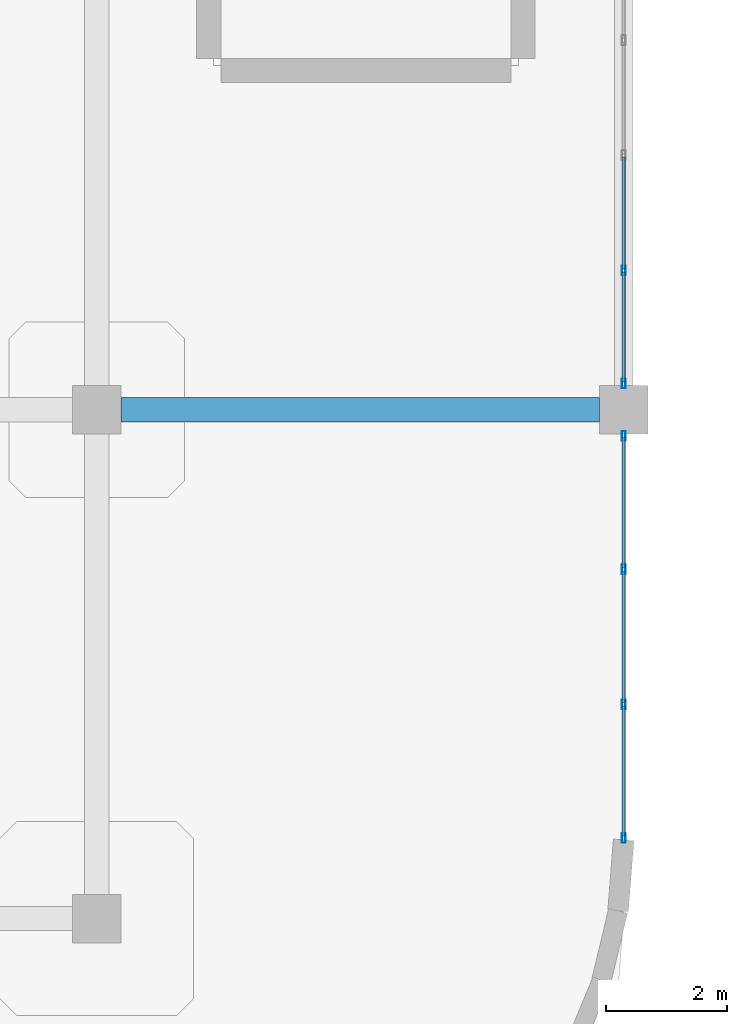
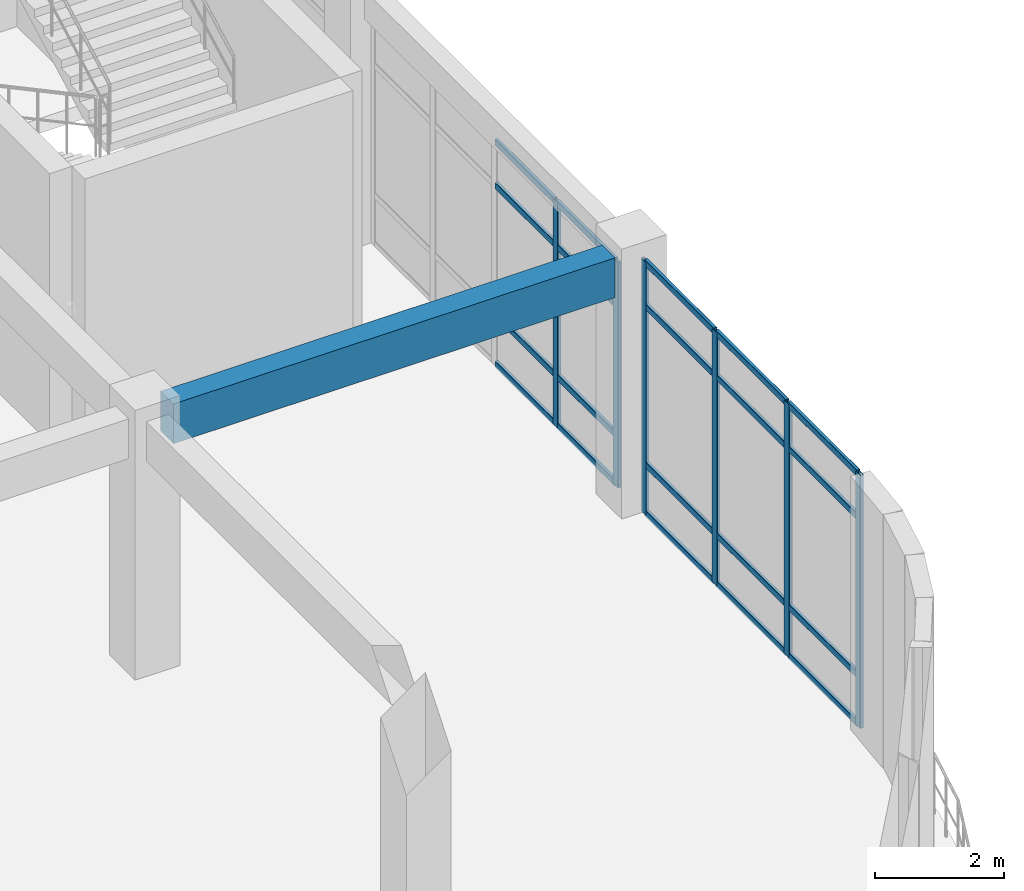
# One storey, part 29 of 124: 26 members, 1 beam, 2 elements without a shape of their own.
"""IFC4 building model written with IfcOpenShell, lengths in metres."""

from ifc_helpers import new_model, si_unit, derived_unit, direction, frame, origin, origin_2d, place, context, subcontext, project, spatial, rectangle, hollow_rectangle, extrude, material, layer, layer_set, material_profile, profile_set, type_object, element, aggregate, save


model = new_model("IFC4")

# Units and contexts
model_context = context("Model", 3, precision=1e-05, world=origin(), true_north=direction((0.0, 1.0)))
body_context = subcontext(model_context, "Body", "Model", "MODEL_VIEW")
ifc_project = project(units=[si_unit("LENGTHUNIT", "METRE"), si_unit("AREAUNIT", "SQUARE_METRE"), si_unit("VOLUMEUNIT", "CUBIC_METRE"), si_unit("PLANEANGLEUNIT", "RADIAN"), si_unit("MASSUNIT", "GRAM", prefix="KILO"), derived_unit("THERMALTRANSMITTANCEUNIT", [(si_unit("MASSUNIT", "GRAM", prefix="KILO"), 1), (si_unit("TIMEUNIT", "SECOND"), -3), (si_unit("THERMODYNAMICTEMPERATUREUNIT", "KELVIN"), -1)])], contexts=[model_context])

# Site, building, storey
site_placement = place(None, origin())
site = spatial("IfcSite", under=ifc_project, at=site_placement, CompositionType="ELEMENT")
building_placement = place(site_placement, origin())
building = spatial("IfcBuilding", under=site, at=building_placement, Name="Qinzheling Arcade Emporium", CompositionType="ELEMENT")
storey_placement = place(building_placement, frame((0.0, 0.0, 16.5)))
storey = spatial("IfcBuildingStorey", under=building, at=storey_placement, Name="L04", CompositionType="ELEMENT", Elevation=16.5)

# Curtain wall, members
ifc_material_1 = material(Name="Anodised aluminium and solar-control double glazing", Category="aluminium")
ifc_layer = layer(ifc_material_1, 0.159912109375, Name="Anodised aluminium and solar-control double glazing", Category="aluminium")
ifc_layer_set = layer_set([ifc_layer], Name="Anodised aluminium and solar-control double glazing")
curtain_wall_type = type_object("IfcCurtainWallType", Name="Arcade Portal Glazed Curtain Wall", PredefinedType="NOTDEFINED", material=ifc_layer_set)
curtain_wall_1_placement = place(storey_placement, origin())
curtain_wall_1 = element("IfcCurtainWall", 1, at=curtain_wall_1_placement, inside=storey, type_object=curtain_wall_type, Name="Curtain Wall CW-L04-258", PredefinedType="NOTDEFINED")
ifc_material_2 = material(Name="Anodised aluminium 6063-T6", Category="aluminium")
ifc_material_profile_1 = material_profile(ifc_material_2, hollow_rectangle(XDim=0.06005859375, YDim=0.159912109375, WallThickness=0.00390625, InnerFilletRadius=0.00390625, OuterFilletRadius=0.008056640625, at=origin_2d()), Name="RHS 160x60x4", Category="aluminium")
ifc_profile_set_1 = profile_set([ifc_material_profile_1], Name="Anodised aluminium 6063-T6")
member_type_1 = type_object("IfcMemberType", Name="Curtain Wall Mullion RHS160x60", PredefinedType="MULLION", material=ifc_profile_set_1)
member_1_placement = place(storey_placement, frame((69.60009765625, 19.10107421875, 0.0), z_axis=(0.0, 0.0, 1.0), x_axis=(1.0, 0.0, 0.0)))
member_1 = element("IfcMember", 2, at=member_1_placement, type_object=member_type_1, Name="CW05 mullion 4", PredefinedType="MULLION", context=body_context, shape_type="SweptSolid", body=[
    extrude(hollow_rectangle(XDim=0.06005859375, YDim=0.159912109375, WallThickness=0.00390625, InnerFilletRadius=0.00390625, OuterFilletRadius=0.008056640625, at=origin_2d()), origin(), (0.0, 0.0, 1.0), 4.2548828125),
])
member_2_placement = place(storey_placement, frame((69.60009765625, 17.23193359375, 0.0), z_axis=(0.0, 0.0, 1.0), x_axis=(1.0, 0.0, 0.0)))
member_2 = element("IfcMember", 3, at=member_2_placement, type_object=member_type_1, Name="CW05 mullion 5", PredefinedType="MULLION", context=body_context, shape_type="SweptSolid", body=[
    extrude(hollow_rectangle(XDim=0.06005859375, YDim=0.159912109375, WallThickness=0.00390625, InnerFilletRadius=0.00390625, OuterFilletRadius=0.008056640625, at=origin_2d()), origin(), (0.0, 0.0, 1.0), 4.2548828125),
])

curtain_wall_2_placement = place(storey_placement, origin())
curtain_wall_2 = element("IfcCurtainWall", 4, at=curtain_wall_2_placement, inside=storey, type_object=curtain_wall_type, Name="Curtain Wall CW-L04-259", PredefinedType="NOTDEFINED")
member_3_placement = place(storey_placement, frame((69.60009765625, 16.367919921875, 0.0), z_axis=(0.0, 0.0, 1.0), x_axis=(1.0, 0.0, 0.0)))
member_3 = element("IfcMember", 5, at=member_3_placement, type_object=member_type_1, Name="CW05 mullion 1", PredefinedType="MULLION", context=body_context, shape_type="SweptSolid", body=[
    extrude(hollow_rectangle(XDim=0.06005859375, YDim=0.159912109375, WallThickness=0.00390625, InnerFilletRadius=0.00390625, OuterFilletRadius=0.008056640625, at=origin_2d()), origin(), (0.0, 0.0, 1.0), 4.7900390625),
])
member_4_placement = place(storey_placement, frame((69.60009765625, 14.165283203125, 0.0), z_axis=(0.0, 0.0, 1.0), x_axis=(1.0, 0.0, 0.0)))
member_4 = element("IfcMember", 6, at=member_4_placement, type_object=member_type_1, Name="CW05 mullion 2", PredefinedType="MULLION", context=body_context, shape_type="SweptSolid", body=[
    extrude(hollow_rectangle(XDim=0.06005859375, YDim=0.159912109375, WallThickness=0.00390625, InnerFilletRadius=0.00390625, OuterFilletRadius=0.008056640625, at=origin_2d()), origin(), (0.0, 0.0, 1.0), 4.7900390625),
])
member_5_placement = place(storey_placement, frame((69.60009765625, 11.9326171875, 0.0), z_axis=(0.0, 0.0, 1.0), x_axis=(1.0, 0.0, 0.0)))
member_5 = element("IfcMember", 7, at=member_5_placement, type_object=member_type_1, Name="CW05 mullion 3", PredefinedType="MULLION", context=body_context, shape_type="SweptSolid", body=[
    extrude(hollow_rectangle(XDim=0.06005859375, YDim=0.159912109375, WallThickness=0.00390625, InnerFilletRadius=0.00390625, OuterFilletRadius=0.008056640625, at=origin_2d()), origin(), (0.0, 0.0, 1.0), 4.7900390625),
])
member_6_placement = place(storey_placement, frame((69.60009765625, 9.72998046875, 0.0), z_axis=(0.0, 0.0, 1.0), x_axis=(1.0, 0.0, 0.0)))
member_6 = element("IfcMember", 8, at=member_6_placement, type_object=member_type_1, Name="CW05 mullion 4", PredefinedType="MULLION", context=body_context, shape_type="SweptSolid", body=[
    extrude(hollow_rectangle(XDim=0.06005859375, YDim=0.159912109375, WallThickness=0.00390625, InnerFilletRadius=0.00390625, OuterFilletRadius=0.008056640625, at=origin_2d()), origin(), (0.0, 0.0, 1.0), 4.7900390625),
])

# Member
ifc_material_profile_2 = material_profile(ifc_material_2, hollow_rectangle(XDim=0.06005859375, YDim=0.1201171875, WallThickness=0.00390625, InnerFilletRadius=0.00390625, OuterFilletRadius=0.008056640625, at=origin_2d()), Name="RHS 120x60x4", Category="aluminium")
ifc_profile_set_2 = profile_set([ifc_material_profile_2], Name="Anodised aluminium 6063-T6")
member_type_2 = type_object("IfcMemberType", Name="Curtain Wall Transom RHS120x60", PredefinedType="USERDEFINED", material=ifc_profile_set_2)
member_7_placement = place(storey_placement, frame((69.60009765625, 20.969970703125, 0.030029296875), z_axis=(0.0, -1.0, 0.0), x_axis=(1.0, 0.0, 0.0)))
member_7 = element("IfcMember", 9, at=member_7_placement, type_object=member_type_2, Name="CW05 transom 3.1", ObjectType="TRANSOM", PredefinedType="USERDEFINED", context=body_context, shape_type="SweptSolid", body=[
    extrude(hollow_rectangle(XDim=0.06005859375, YDim=0.1201171875, WallThickness=0.00390625, InnerFilletRadius=0.00390625, OuterFilletRadius=0.008056640625, at=origin_2d()), origin(), (0.0, 0.0, 1.0), 1.8388671875),
])

member_8_placement = place(storey_placement, frame((69.60009765625, 20.969970703125, 0.949951171875), z_axis=(0.0, -1.0, 0.0), x_axis=(1.0, 0.0, 0.0)))
member_8 = element("IfcMember", 10, at=member_8_placement, type_object=member_type_2, Name="CW05 transom 3.2", ObjectType="TRANSOM", PredefinedType="USERDEFINED", context=body_context, shape_type="SweptSolid", body=[
    extrude(hollow_rectangle(XDim=0.06005859375, YDim=0.1201171875, WallThickness=0.00390625, InnerFilletRadius=0.00390625, OuterFilletRadius=0.008056640625, at=origin_2d()), origin(), (0.0, 0.0, 1.0), 1.8388671875),
])

member_9_placement = place(storey_placement, frame((69.60009765625, 20.969970703125, 3.405029296875), z_axis=(0.0, -1.0, 0.0), x_axis=(1.0, 0.0, 0.0)))
member_9 = element("IfcMember", 11, at=member_9_placement, type_object=member_type_2, Name="CW05 transom 3.3", ObjectType="TRANSOM", PredefinedType="USERDEFINED", context=body_context, shape_type="SweptSolid", body=[
    extrude(hollow_rectangle(XDim=0.06005859375, YDim=0.1201171875, WallThickness=0.00390625, InnerFilletRadius=0.00390625, OuterFilletRadius=0.008056640625, at=origin_2d()), origin(), (0.0, 0.0, 1.0), 1.8388671875),
])

member_10_placement = place(storey_placement, frame((69.60009765625, 20.969970703125, 4.22509765625), z_axis=(0.0, -1.0, 0.0), x_axis=(1.0, 0.0, 0.0)))
member_10 = element("IfcMember", 12, at=member_10_placement, type_object=member_type_2, Name="CW05 transom 3.4", ObjectType="TRANSOM", PredefinedType="USERDEFINED", context=body_context, shape_type="SweptSolid", body=[
    extrude(hollow_rectangle(XDim=0.06005859375, YDim=0.1201171875, WallThickness=0.00390625, InnerFilletRadius=0.00390625, OuterFilletRadius=0.008056640625, at=origin_2d()), origin(), (0.0, 0.0, 1.0), 1.8388671875),
])

member_11_placement = place(storey_placement, frame((69.60009765625, 19.071044921875, 0.030029296875), z_axis=(0.0, -1.0, 0.0), x_axis=(1.0, 0.0, 0.0)))
member_11 = element("IfcMember", 13, at=member_11_placement, type_object=member_type_2, Name="CW05 transom 4.1", ObjectType="TRANSOM", PredefinedType="USERDEFINED", context=body_context, shape_type="SweptSolid", body=[
    extrude(hollow_rectangle(XDim=0.06005859375, YDim=0.1201171875, WallThickness=0.00390625, InnerFilletRadius=0.00390625, OuterFilletRadius=0.008056640625, at=origin_2d()), origin(), (0.0, 0.0, 1.0), 1.80908203125),
])

member_12_placement = place(storey_placement, frame((69.60009765625, 19.071044921875, 0.949951171875), z_axis=(0.0, -1.0, 0.0), x_axis=(1.0, 0.0, 0.0)))
member_12 = element("IfcMember", 14, at=member_12_placement, type_object=member_type_2, Name="CW05 transom 4.2", ObjectType="TRANSOM", PredefinedType="USERDEFINED", context=body_context, shape_type="SweptSolid", body=[
    extrude(hollow_rectangle(XDim=0.06005859375, YDim=0.1201171875, WallThickness=0.00390625, InnerFilletRadius=0.00390625, OuterFilletRadius=0.008056640625, at=origin_2d()), origin(), (0.0, 0.0, 1.0), 1.80908203125),
])

member_13_placement = place(storey_placement, frame((69.60009765625, 19.071044921875, 3.405029296875), z_axis=(0.0, -1.0, 0.0), x_axis=(1.0, 0.0, 0.0)))
member_13 = element("IfcMember", 15, at=member_13_placement, type_object=member_type_2, Name="CW05 transom 4.3", ObjectType="TRANSOM", PredefinedType="USERDEFINED", context=body_context, shape_type="SweptSolid", body=[
    extrude(hollow_rectangle(XDim=0.06005859375, YDim=0.1201171875, WallThickness=0.00390625, InnerFilletRadius=0.00390625, OuterFilletRadius=0.008056640625, at=origin_2d()), origin(), (0.0, 0.0, 1.0), 1.80908203125),
])

member_14_placement = place(storey_placement, frame((69.60009765625, 19.071044921875, 4.22509765625), z_axis=(0.0, -1.0, 0.0), x_axis=(1.0, 0.0, 0.0)))
member_14 = element("IfcMember", 16, at=member_14_placement, type_object=member_type_2, Name="CW05 transom 4.4", ObjectType="TRANSOM", PredefinedType="USERDEFINED", context=body_context, shape_type="SweptSolid", body=[
    extrude(hollow_rectangle(XDim=0.06005859375, YDim=0.1201171875, WallThickness=0.00390625, InnerFilletRadius=0.00390625, OuterFilletRadius=0.008056640625, at=origin_2d()), origin(), (0.0, 0.0, 1.0), 1.80908203125),
])

aggregate(curtain_wall_1, [member_1, member_2, member_7, member_8, member_9, member_10, member_11, member_12, member_13, member_14])

member_15_placement = place(storey_placement, frame((69.60009765625, 16.337890625, 0.030029296875), z_axis=(0.0, -1.0, 0.0), x_axis=(1.0, 0.0, 0.0)))
member_15 = element("IfcMember", 17, at=member_15_placement, type_object=member_type_2, Name="CW05 transom 1.1", ObjectType="TRANSOM", PredefinedType="USERDEFINED", context=body_context, shape_type="SweptSolid", body=[
    extrude(hollow_rectangle(XDim=0.06005859375, YDim=0.1201171875, WallThickness=0.00390625, InnerFilletRadius=0.00390625, OuterFilletRadius=0.008056640625, at=origin_2d()), origin(), (0.0, 0.0, 1.0), 2.142578125),
])

member_16_placement = place(storey_placement, frame((69.60009765625, 16.337890625, 0.949951171875), z_axis=(0.0, -1.0, 0.0), x_axis=(1.0, 0.0, 0.0)))
member_16 = element("IfcMember", 18, at=member_16_placement, type_object=member_type_2, Name="CW05 transom 1.2", ObjectType="TRANSOM", PredefinedType="USERDEFINED", context=body_context, shape_type="SweptSolid", body=[
    extrude(hollow_rectangle(XDim=0.06005859375, YDim=0.1201171875, WallThickness=0.00390625, InnerFilletRadius=0.00390625, OuterFilletRadius=0.008056640625, at=origin_2d()), origin(), (0.0, 0.0, 1.0), 2.142578125),
])

member_17_placement = place(storey_placement, frame((69.60009765625, 16.337890625, 3.93994140625), z_axis=(0.0, -1.0, 0.0), x_axis=(1.0, 0.0, 0.0)))
member_17 = element("IfcMember", 19, at=member_17_placement, type_object=member_type_2, Name="CW05 transom 1.3", ObjectType="TRANSOM", PredefinedType="USERDEFINED", context=body_context, shape_type="SweptSolid", body=[
    extrude(hollow_rectangle(XDim=0.06005859375, YDim=0.1201171875, WallThickness=0.00390625, InnerFilletRadius=0.00390625, OuterFilletRadius=0.008056640625, at=origin_2d()), origin(), (0.0, 0.0, 1.0), 2.142578125),
])

member_18_placement = place(storey_placement, frame((69.60009765625, 16.337890625, 4.760009765625), z_axis=(0.0, -1.0, 0.0), x_axis=(1.0, 0.0, 0.0)))
member_18 = element("IfcMember", 20, at=member_18_placement, type_object=member_type_2, Name="CW05 transom 1.4", ObjectType="TRANSOM", PredefinedType="USERDEFINED", context=body_context, shape_type="SweptSolid", body=[
    extrude(hollow_rectangle(XDim=0.06005859375, YDim=0.1201171875, WallThickness=0.00390625, InnerFilletRadius=0.00390625, OuterFilletRadius=0.008056640625, at=origin_2d()), origin(), (0.0, 0.0, 1.0), 2.142578125),
])

member_19_placement = place(storey_placement, frame((69.60009765625, 14.13525390625, 0.030029296875), z_axis=(0.0, -1.0, 0.0), x_axis=(1.0, 0.0, 0.0)))
member_19 = element("IfcMember", 21, at=member_19_placement, type_object=member_type_2, Name="CW05 transom 2.1", ObjectType="TRANSOM", PredefinedType="USERDEFINED", context=body_context, shape_type="SweptSolid", body=[
    extrude(hollow_rectangle(XDim=0.06005859375, YDim=0.1201171875, WallThickness=0.00390625, InnerFilletRadius=0.00390625, OuterFilletRadius=0.008056640625, at=origin_2d()), origin(), (0.0, 0.0, 1.0), 2.172607421875),
])

member_20_placement = place(storey_placement, frame((69.60009765625, 14.13525390625, 0.949951171875), z_axis=(0.0, -1.0, 0.0), x_axis=(1.0, 0.0, 0.0)))
member_20 = element("IfcMember", 22, at=member_20_placement, type_object=member_type_2, Name="CW05 transom 2.2", ObjectType="TRANSOM", PredefinedType="USERDEFINED", context=body_context, shape_type="SweptSolid", body=[
    extrude(hollow_rectangle(XDim=0.06005859375, YDim=0.1201171875, WallThickness=0.00390625, InnerFilletRadius=0.00390625, OuterFilletRadius=0.008056640625, at=origin_2d()), origin(), (0.0, 0.0, 1.0), 2.172607421875),
])

member_21_placement = place(storey_placement, frame((69.60009765625, 14.13525390625, 3.93994140625), z_axis=(0.0, -1.0, 0.0), x_axis=(1.0, 0.0, 0.0)))
member_21 = element("IfcMember", 23, at=member_21_placement, type_object=member_type_2, Name="CW05 transom 2.3", ObjectType="TRANSOM", PredefinedType="USERDEFINED", context=body_context, shape_type="SweptSolid", body=[
    extrude(hollow_rectangle(XDim=0.06005859375, YDim=0.1201171875, WallThickness=0.00390625, InnerFilletRadius=0.00390625, OuterFilletRadius=0.008056640625, at=origin_2d()), origin(), (0.0, 0.0, 1.0), 2.172607421875),
])

member_22_placement = place(storey_placement, frame((69.60009765625, 14.13525390625, 4.760009765625), z_axis=(0.0, -1.0, 0.0), x_axis=(1.0, 0.0, 0.0)))
member_22 = element("IfcMember", 24, at=member_22_placement, type_object=member_type_2, Name="CW05 transom 2.4", ObjectType="TRANSOM", PredefinedType="USERDEFINED", context=body_context, shape_type="SweptSolid", body=[
    extrude(hollow_rectangle(XDim=0.06005859375, YDim=0.1201171875, WallThickness=0.00390625, InnerFilletRadius=0.00390625, OuterFilletRadius=0.008056640625, at=origin_2d()), origin(), (0.0, 0.0, 1.0), 2.172607421875),
])

member_23_placement = place(storey_placement, frame((69.60009765625, 11.902587890625, 0.030029296875), z_axis=(0.0, -1.0, 0.0), x_axis=(1.0, 0.0, 0.0)))
member_23 = element("IfcMember", 25, at=member_23_placement, type_object=member_type_2, Name="CW05 transom 3.1", ObjectType="TRANSOM", PredefinedType="USERDEFINED", context=body_context, shape_type="SweptSolid", body=[
    extrude(hollow_rectangle(XDim=0.06005859375, YDim=0.1201171875, WallThickness=0.00390625, InnerFilletRadius=0.00390625, OuterFilletRadius=0.008056640625, at=origin_2d()), origin(), (0.0, 0.0, 1.0), 2.142578125),
])

member_24_placement = place(storey_placement, frame((69.60009765625, 11.902587890625, 0.949951171875), z_axis=(0.0, -1.0, 0.0), x_axis=(1.0, 0.0, 0.0)))
member_24 = element("IfcMember", 26, at=member_24_placement, type_object=member_type_2, Name="CW05 transom 3.2", ObjectType="TRANSOM", PredefinedType="USERDEFINED", context=body_context, shape_type="SweptSolid", body=[
    extrude(hollow_rectangle(XDim=0.06005859375, YDim=0.1201171875, WallThickness=0.00390625, InnerFilletRadius=0.00390625, OuterFilletRadius=0.008056640625, at=origin_2d()), origin(), (0.0, 0.0, 1.0), 2.142578125),
])

member_25_placement = place(storey_placement, frame((69.60009765625, 11.902587890625, 3.93994140625), z_axis=(0.0, -1.0, 0.0), x_axis=(1.0, 0.0, 0.0)))
member_25 = element("IfcMember", 27, at=member_25_placement, type_object=member_type_2, Name="CW05 transom 3.3", ObjectType="TRANSOM", PredefinedType="USERDEFINED", context=body_context, shape_type="SweptSolid", body=[
    extrude(hollow_rectangle(XDim=0.06005859375, YDim=0.1201171875, WallThickness=0.00390625, InnerFilletRadius=0.00390625, OuterFilletRadius=0.008056640625, at=origin_2d()), origin(), (0.0, 0.0, 1.0), 2.142578125),
])

member_26_placement = place(storey_placement, frame((69.60009765625, 11.902587890625, 4.760009765625), z_axis=(0.0, -1.0, 0.0), x_axis=(1.0, 0.0, 0.0)))
member_26 = element("IfcMember", 28, at=member_26_placement, type_object=member_type_2, Name="CW05 transom 3.4", ObjectType="TRANSOM", PredefinedType="USERDEFINED", context=body_context, shape_type="SweptSolid", body=[
    extrude(hollow_rectangle(XDim=0.06005859375, YDim=0.1201171875, WallThickness=0.00390625, InnerFilletRadius=0.00390625, OuterFilletRadius=0.008056640625, at=origin_2d()), origin(), (0.0, 0.0, 1.0), 2.142578125),
])

aggregate(curtain_wall_2, [member_3, member_4, member_5, member_6, member_15, member_16, member_17, member_18, member_19, member_20, member_21, member_22, member_23, member_24, member_25, member_26])

# Beam
ifc_material_3 = material(Name="Concrete C40", Category="concrete")
ifc_material_profile_3 = material_profile(ifc_material_3, rectangle(XDim=0.39990234375, YDim=0.75, at=origin_2d()), Name="RC 400x750", Category="concrete")
ifc_profile_set_3 = profile_set([ifc_material_profile_3], Name="Concrete C40")
beam_type = type_object("IfcBeamType", Name="RC Interior Tie Beam 400x750 C40", PredefinedType="BEAM", material=ifc_profile_set_3)
beam_placement = place(storey_placement, frame((61.300048828125, 16.800048828125, 4.445068359375), z_axis=(1.0, 0.0, 0.0), x_axis=(0.0, 1.0, 0.0)))
element("IfcBeam", 29, at=beam_placement, inside=storey, type_object=beam_type, Name="Beam BM-L04-X-C-8", PredefinedType="BEAM", context=body_context, shape_type="SweptSolid", body=[
    extrude(rectangle(XDim=0.39990234375, YDim=0.75, at=origin_2d()), origin(), (0.0, 0.0, 1.0), 7.89990234375),
])

save(model, "model.ifc")
